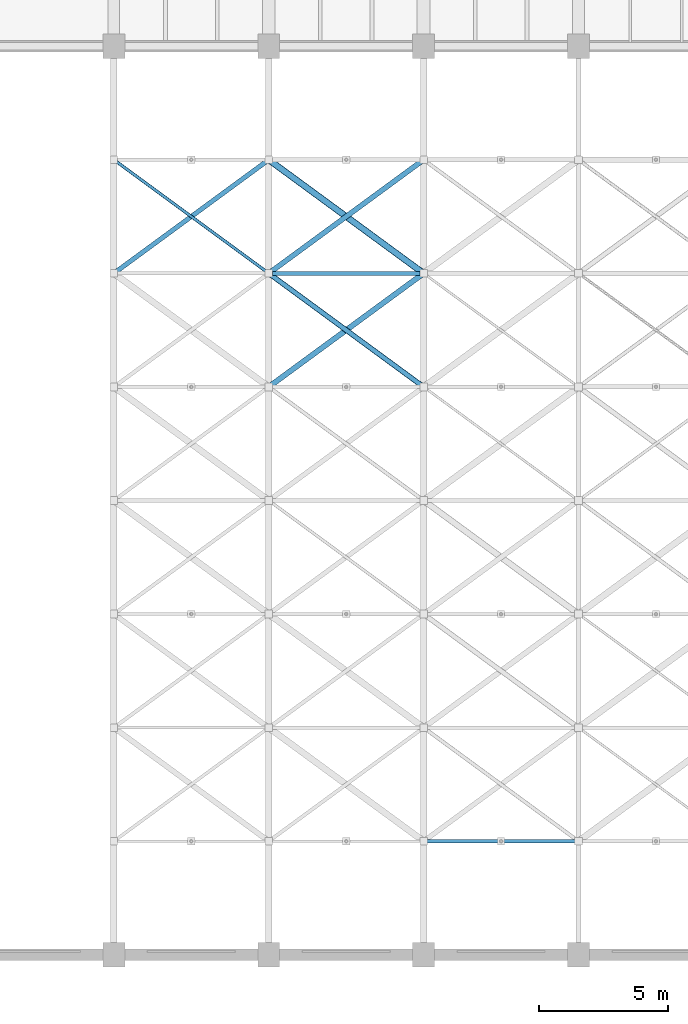
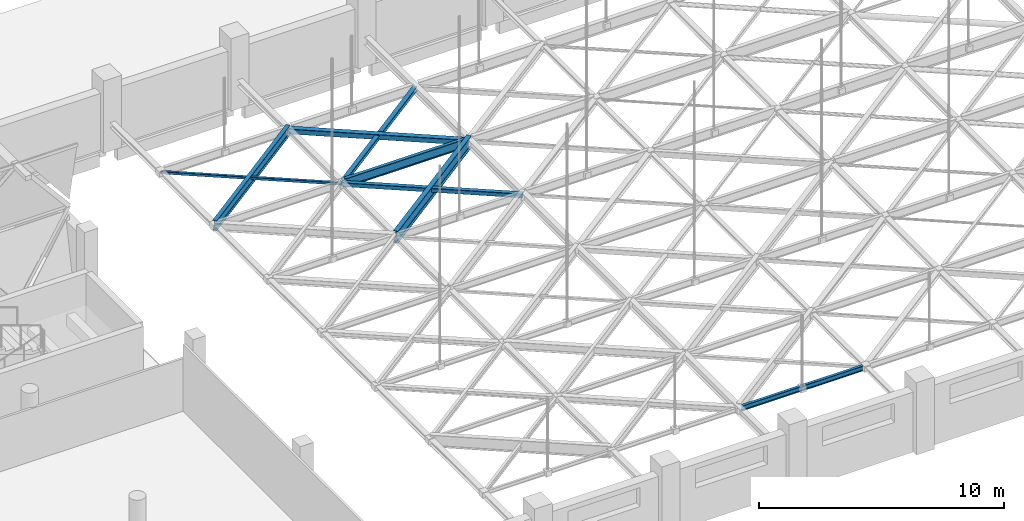
# One storey, part 30 of 93: 6 members, 2 beams.
"""IFC4 building model written with IfcOpenShell, lengths in metres."""

from ifc_helpers import new_model, si_unit, direction, frame, origin, origin_2d, place, context, subcontext, project, spatial, hollow_rectangle, i_section, extrude, material, material_profile, profile_set, type_object, element, save


model = new_model("IFC4")

# Units and contexts
model_context = context("Model", 3, precision=1e-05, world=origin(), true_north=direction((0.0, 1.0)))
body_context = subcontext(model_context, "Body", "Model", "MODEL_VIEW")
ifc_project = project(units=[si_unit("LENGTHUNIT", "METRE"), si_unit("AREAUNIT", "SQUARE_METRE"), si_unit("VOLUMEUNIT", "CUBIC_METRE"), si_unit("PLANEANGLEUNIT", "RADIAN"), si_unit("MASSUNIT", "GRAM", prefix="KILO")], contexts=[model_context])

# Site, building, storey
site_placement = place(None, origin())
site = spatial("IfcSite", under=ifc_project, at=site_placement, CompositionType="ELEMENT")
building_placement = place(site_placement, origin())
building = spatial("IfcBuilding", under=site, at=building_placement, Name="Varnakota Cinema and Media Centre", CompositionType="ELEMENT")
storey_placement = place(building_placement, frame((0.0, 0.0, 12.0)))
storey = spatial("IfcBuildingStorey", under=building, at=storey_placement, Name="L03", CompositionType="ELEMENT", Elevation=12.0)

# Beams
ifc_material_1 = material(Name="Structural steel Grade 350 (E350)", Category="steel")
ifc_material_profile_1 = material_profile(ifc_material_1, i_section(OverallWidth=0.125, OverallDepth=0.25, WebThickness=0.0068359375, FlangeThickness=0.012451171875, FilletRadius=0.012939453125, at=origin_2d()), Name="ISMB 250")
ifc_profile_set_1 = profile_set([ifc_material_profile_1], Name="Structural steel Grade 350 (E350)")
beam_type_1 = type_object("IfcBeamType", Name="BM-ST-ISMB250", PredefinedType="JOIST", material=ifc_profile_set_1)
beam_1_placement = place(storey_placement, frame((93.139892578125, 4.39990234375, 1.300048828125), z_axis=(1.0, 0.0, 0.0), x_axis=(0.0, 1.0, 0.0)))
element("IfcBeam", 1, at=beam_1_placement, inside=storey, type_object=beam_type_1, Name="V1 rigging beam 4.1", PredefinedType="JOIST", context=body_context, shape_type="SweptSolid", body=[
    extrude(i_section(OverallWidth=0.125, OverallDepth=0.25, WebThickness=0.0068359375, FlangeThickness=0.012451171875, FilletRadius=0.012939453125, at=origin_2d()), origin(), (0.0, 0.0, 1.0), 5.72021484375),
])
ifc_material_2 = material(Name="Structural steel Grade 350 (E350)", Category="steel")
ifc_material_profile_2 = material_profile(ifc_material_2, i_section(OverallWidth=0.14990234375, OverallDepth=0.449951171875, WebThickness=0.009521484375, FlangeThickness=0.017333984375, FilletRadius=0.014892578125, at=origin_2d()), Name="ISMB 450")
ifc_profile_set_2 = profile_set([ifc_material_profile_2], Name="Structural steel Grade 350 (E350)")
beam_type_2 = type_object("IfcBeamType", Name="BM-ST-ISMB450", PredefinedType="BEAM", material=ifc_profile_set_2)
beam_2_placement = place(storey_placement, frame((87.139892578125, 26.39990234375, 1.300048828125), z_axis=(1.0, 0.0, 0.0), x_axis=(0.0, 1.0, 0.0)))
element("IfcBeam", 2, at=beam_2_placement, inside=storey, type_object=beam_type_2, Name="V1 rigging beam 3.6", PredefinedType="BEAM", context=body_context, shape_type="SweptSolid", body=[
    extrude(i_section(OverallWidth=0.14990234375, OverallDepth=0.449951171875, WebThickness=0.009521484375, FlangeThickness=0.017333984375, FilletRadius=0.014892578125, at=origin_2d()), origin(), (0.0, 0.0, 1.0), 5.72021484375),
])

# Members
ifc_material_3 = material(Name="Structural steel Grade 350 (E350)", Category="steel")
ifc_material_profile_3 = material_profile(ifc_material_3, i_section(OverallWidth=0.199951171875, OverallDepth=0.199951171875, WebThickness=0.0078125, FlangeThickness=0.009033203125, FilletRadius=0.009033203125, at=origin_2d()), Name="ISHB 200")
ifc_profile_set_3 = profile_set([ifc_material_profile_3], Name="Structural steel Grade 350 (E350)")
member_type_1 = type_object("IfcMemberType", Name="MEM-ST-ISHB200", PredefinedType="CHORD", material=ifc_profile_set_3)
member_1_placement = place(storey_placement, frame((87.0, 26.39990234375, 1.300048828125), z_axis=(0.806395607258, 0.591376466048, 0.0), x_axis=(-0.591376466048, 0.806395607258, 0.0)))
element("IfcMember", 3, at=member_1_placement, inside=storey, type_object=member_type_1, Name="V1 rigging plan member A 3.6", PredefinedType="CHORD", context=body_context, shape_type="SweptSolid", body=[
    extrude(i_section(OverallWidth=0.199951171875, OverallDepth=0.199951171875, WebThickness=0.0078125, FlangeThickness=0.009033203125, FilletRadius=0.009033203125, at=origin_2d()), origin(), (0.0, 0.0, 1.0), 7.4404296875),
])
ifc_material_4 = material(Name="Structural steel Grade 350 (E350)", Category="steel")
ifc_material_profile_4 = material_profile(ifc_material_4, i_section(OverallWidth=0.179931640625, OverallDepth=0.5, WebThickness=0.01025390625, FlangeThickness=0.01708984375, FilletRadius=0.01708984375, at=origin_2d()), Name="ISMB 500")
ifc_profile_set_4 = profile_set([ifc_material_profile_4], Name="Structural steel Grade 350 (E350)")
member_type_2 = type_object("IfcMemberType", Name="MEM-ST-ISMB500", PredefinedType="RAFTER", material=ifc_profile_set_4)
member_2_placement = place(storey_placement, frame((81.0, 26.39990234375, 1.300048828125), z_axis=(0.806395607258, 0.591376466048, 0.0), x_axis=(-0.591376466048, 0.806395607258, 0.0)))
element("IfcMember", 4, at=member_2_placement, inside=storey, type_object=member_type_2, Name="V1 rigging plan member A 2.6", PredefinedType="RAFTER", context=body_context, shape_type="SweptSolid", body=[
    extrude(i_section(OverallWidth=0.179931640625, OverallDepth=0.5, WebThickness=0.01025390625, FlangeThickness=0.01708984375, FilletRadius=0.01708984375, at=origin_2d()), origin(), (0.0, 0.0, 1.0), 7.4404296875),
])
ifc_material_5 = material(Name="Structural steel Grade 350 (E350)", Category="steel")
ifc_material_profile_5 = material_profile(ifc_material_5, i_section(OverallWidth=0.2099609375, OverallDepth=0.60009765625, WebThickness=0.011962890625, FlangeThickness=0.020751953125, FilletRadius=0.02001953125, at=origin_2d()), Name="ISMB 600")
ifc_profile_set_5 = profile_set([ifc_material_profile_5], Name="Structural steel Grade 350 (E350)")
member_type_3 = type_object("IfcMemberType", Name="MEM-ST-ISMB600", PredefinedType="RAFTER", material=ifc_profile_set_5)
member_3_placement = place(storey_placement, frame((87.0, 22.0, 1.300048828125), z_axis=(0.80641125493, 0.591355128432, 0.0), x_axis=(-0.591355128432, 0.80641125493, 0.0)))
element("IfcMember", 5, at=member_3_placement, inside=storey, type_object=member_type_3, Name="V1 rigging plan member A 3.5", PredefinedType="RAFTER", context=body_context, shape_type="SweptSolid", body=[
    extrude(i_section(OverallWidth=0.2099609375, OverallDepth=0.60009765625, WebThickness=0.011962890625, FlangeThickness=0.020751953125, FilletRadius=0.02001953125, at=origin_2d()), origin(), (0.0, 0.0, 1.0), 7.4404296875),
])
ifc_material_6 = material(Name="Structural steel S355 (YSt 355)", Category="steel")
ifc_material_profile_6 = material_profile(ifc_material_6, hollow_rectangle(XDim=0.1201171875, YDim=0.1201171875, WallThickness=0.006103515625, InnerFilletRadius=0.006103515625, OuterFilletRadius=0.011962890625, at=origin_2d()), Name="SHS 120x120x6")
ifc_profile_set_6 = profile_set([ifc_material_profile_6], Name="Structural steel S355 (YSt 355)")
member_type_4 = type_object("IfcMemberType", Name="MEM-ST-SHS120x120x6", PredefinedType="STRUT", material=ifc_profile_set_6)
member_4_placement = place(storey_placement, frame((87.0, 26.39990234375, 1.300048828125), z_axis=(-0.806395607258, 0.591376466048, 0.0), x_axis=(-0.591376466048, -0.806395607258, 0.0)))
element("IfcMember", 6, at=member_4_placement, inside=storey, type_object=member_type_4, Name="V1 rigging plan member B 2.6", PredefinedType="STRUT", context=body_context, shape_type="SweptSolid", body=[
    extrude(hollow_rectangle(XDim=0.1201171875, YDim=0.1201171875, WallThickness=0.006103515625, InnerFilletRadius=0.006103515625, OuterFilletRadius=0.011962890625, at=origin_2d()), origin(), (0.0, 0.0, 1.0), 7.4404296875),
])
ifc_material_7 = material(Name="Structural steel S355 (YSt 355)", Category="steel")
ifc_material_profile_7 = material_profile(ifc_material_7, hollow_rectangle(XDim=0.199951171875, YDim=0.199951171875, WallThickness=0.010009765625, InnerFilletRadius=0.010009765625, OuterFilletRadius=0.02001953125, at=origin_2d()), Name="SHS 200x200x10")
ifc_profile_set_7 = profile_set([ifc_material_profile_7], Name="Structural steel S355 (YSt 355)")
member_type_5 = type_object("IfcMemberType", Name="MEM-ST-SHS200x200x10", PredefinedType="STRUT", material=ifc_profile_set_7)
member_5_placement = place(storey_placement, frame((93.0, 22.0, 1.300048828125), z_axis=(-0.80641125493, 0.591355128432, 0.0), x_axis=(-0.591355128432, -0.80641125493, 0.0)))
element("IfcMember", 7, at=member_5_placement, inside=storey, type_object=member_type_5, Name="V1 rigging plan member B 3.5", PredefinedType="STRUT", context=body_context, shape_type="SweptSolid", body=[
    extrude(hollow_rectangle(XDim=0.199951171875, YDim=0.199951171875, WallThickness=0.010009765625, InnerFilletRadius=0.010009765625, OuterFilletRadius=0.02001953125, at=origin_2d()), origin(), (0.0, 0.0, 1.0), 7.4404296875),
])
ifc_material_8 = material(Name="Structural steel S355 (YSt 355)", Category="steel")
ifc_material_profile_8 = material_profile(ifc_material_8, hollow_rectangle(XDim=0.25, YDim=0.25, WallThickness=0.010009765625, InnerFilletRadius=0.010009765625, OuterFilletRadius=0.02001953125, at=origin_2d()), Name="SHS 250x250x10")
ifc_profile_set_8 = profile_set([ifc_material_profile_8], Name="Structural steel S355 (YSt 355)")
member_type_6 = type_object("IfcMemberType", Name="MEM-ST-SHS250x250x10", PredefinedType="STRUT", material=ifc_profile_set_8)
member_6_placement = place(storey_placement, frame((93.0, 26.39990234375, 1.300048828125), z_axis=(-0.806395607258, 0.591376466048, 0.0), x_axis=(-0.591376466048, -0.806395607258, 0.0)))
element("IfcMember", 8, at=member_6_placement, inside=storey, type_object=member_type_6, Name="V1 rigging plan member B 3.6", PredefinedType="STRUT", context=body_context, shape_type="SweptSolid", body=[
    extrude(hollow_rectangle(XDim=0.25, YDim=0.25, WallThickness=0.010009765625, InnerFilletRadius=0.010009765625, OuterFilletRadius=0.02001953125, at=origin_2d()), origin(), (0.0, 0.0, 1.0), 7.4404296875),
])

save(model, "model.ifc")
